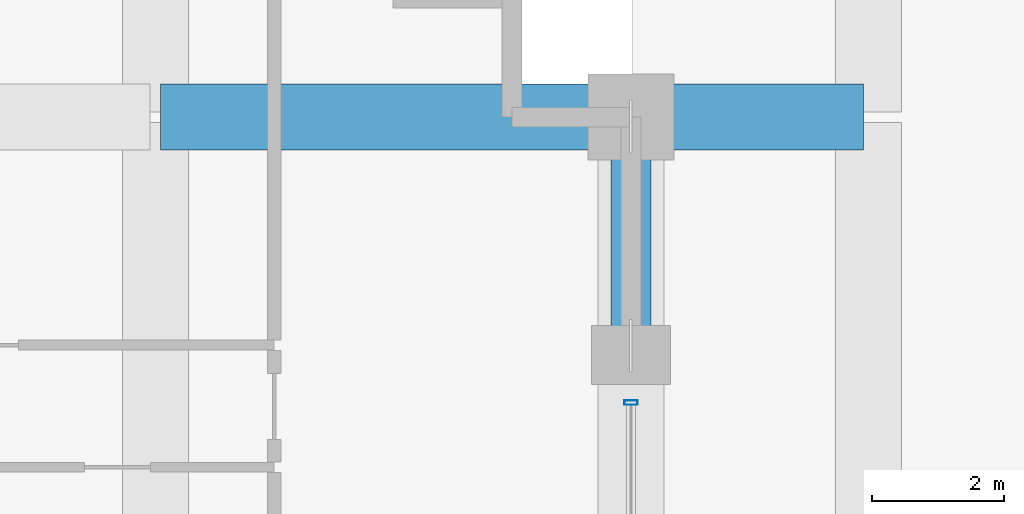
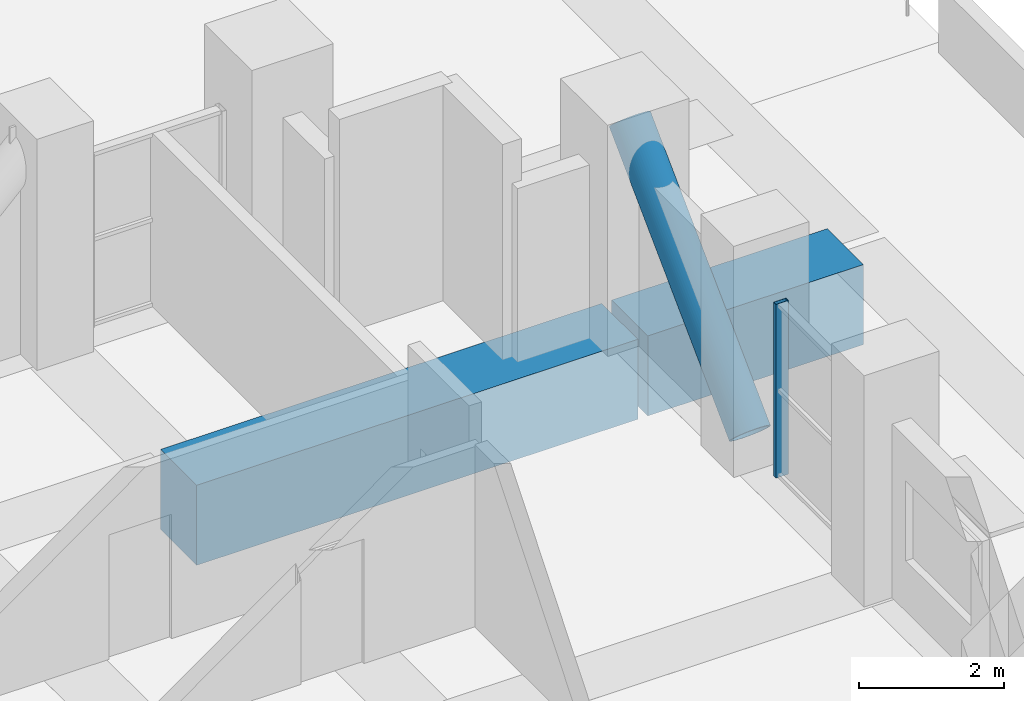
# One storey, part 18 of 39: 2 beams, 2 members, 1 element without a shape of its own.
"""IFC4 building model written with IfcOpenShell, lengths in metres."""

import ifcopenshell
import ifcopenshell.guid

model = None  # the IFC model being written
_history = None  # IfcOwnerHistory: only IFC2X3 demands one
_inside = {}  # id of a spatial element -> (the spatial element, [elements in it])
_under = {}  # id of a project, library or spatial element -> (it, [spatial elements below it])
_declared = {}  # id of a project -> (the project, [libraries it declares])
_typed = {}  # id of a type object -> (the type object, [elements of that type])
_made_of = {}  # id of a material, layer set ... -> (it, [elements and type objects made of it])


def new_model(schema):
    """Start an empty IFC model of exactly this schema.

    Asked for "IFC4X3", IfcOpenShell would pick the latest addendum, in which some entities
    have other attributes; the version numbers below select the first issue.
    IFC2X3 requires an IfcOwnerHistory on every rooted entity: one is made here for all.
    """
    global model, _history
    if schema == "IFC4X3":
        model = ifcopenshell.file(schema_version=(4, 3, 0, 0))
    else:
        model = ifcopenshell.file(schema=schema)
    _inside.clear()
    _under.clear()
    _declared.clear()
    _typed.clear()
    _made_of.clear()
    _history = None
    if model.schema == "IFC2X3":
        org = make("IfcOrganization", Name="unknown")
        user = make(
            "IfcPersonAndOrganization",
            ThePerson=make("IfcPerson", FamilyName="unknown"),
            TheOrganization=org,
        )
        app = make(
            "IfcApplication",
            ApplicationDeveloper=org,
            Version="unknown",
            ApplicationFullName="unknown",
            ApplicationIdentifier="unknown",
        )
        _history = make(
            "IfcOwnerHistory",
            OwningUser=user,
            OwningApplication=app,
            ChangeAction="ADDED",
            CreationDate=0,
        )
    return model


def make(cls, **values):
    """One entity of the class cls with the attributes given. An attribute that is None is left unset."""
    return model.create_entity(
        cls, **{name: value for name, value in values.items() if value is not None}
    )


def rooted(cls, **values):
    """An entity with a GlobalId (a new one), such as an element, a storey or a relation."""
    return make(cls, GlobalId=ifcopenshell.guid.new(), OwnerHistory=_history, **values)


def si_unit(unit_type, name, prefix=None):
    """IfcSIUnit, for example si_unit("LENGTHUNIT", "METRE", prefix="MILLI")."""
    return make("IfcSIUnit", UnitType=unit_type, Prefix=prefix, Name=name)


def assignment(units):
    """IfcUnitAssignment: the units of a project."""
    return None if units is None else make("IfcUnitAssignment", Units=units)


def point(xyz):
    """IfcCartesianPoint."""
    return None if xyz is None else make("IfcCartesianPoint", Coordinates=xyz)


def direction(xyz):
    """IfcDirection."""
    return None if xyz is None else make("IfcDirection", DirectionRatios=xyz)


def frame(location, z_axis=None, x_axis=None):
    """IfcAxis2Placement3D, a coordinate frame: its origin and axes. An axis left out is left unset."""
    return make(
        "IfcAxis2Placement3D",
        Location=point(location),
        Axis=direction(z_axis),
        RefDirection=direction(x_axis),
    )


def frame_2d(location, x_axis=None):
    """IfcAxis2Placement2D, a coordinate frame in the plane: its origin and x axis."""
    return make(
        "IfcAxis2Placement2D", Location=point(location), RefDirection=direction(x_axis)
    )


def origin():
    """The frame at (0, 0, 0) with its axes left unset."""
    return frame((0.0, 0.0, 0.0))


def origin_2d():
    """The frame at (0, 0) in the plane with its x axis left unset."""
    return frame_2d((0.0, 0.0))


def place(relative_to, where):
    """IfcLocalPlacement: puts the frame where relative to a parent placement (None: the world)."""
    return make(
        "IfcLocalPlacement", PlacementRelTo=relative_to, RelativePlacement=where
    )


def context(
    kind, dimensions, precision=None, world=None, true_north=None, identifier=None
):
    """IfcGeometricRepresentationContext, for example the 3D "Model" context."""
    return make(
        "IfcGeometricRepresentationContext",
        ContextIdentifier=identifier,
        ContextType=kind,
        CoordinateSpaceDimension=dimensions,
        Precision=precision,
        WorldCoordinateSystem=world,
        TrueNorth=true_north,
    )


def subcontext(parent, identifier, kind, view, scale=None):
    """IfcGeometricRepresentationSubContext, for example "Body" below "Model"."""
    return make(
        "IfcGeometricRepresentationSubContext",
        ContextIdentifier=identifier,
        ContextType=kind,
        ParentContext=parent,
        TargetScale=scale,
        TargetView=view,
    )


def project(units=None, contexts=None):
    """IfcProject with its units and contexts."""
    return rooted(
        "IfcProject",
        Name="project",
        RepresentationContexts=contexts,
        UnitsInContext=assignment(units),
    )


def spatial(cls, under=None, at=None, **own):
    """A site, building, storey or space (cls), placed at a placement, below another one or the project."""
    s = rooted(cls, ObjectPlacement=at, **own)
    if under is not None:
        _under.setdefault(under.id(), (under, []))[1].append(s)
    return s


def profile(cls, at=None, kind="AREA", **sizes):
    """A parametric profile (cls). Its sizes go by their IFC names, for example OverallWidth=200.0."""
    return make(cls, ProfileType=kind, Position=at, **sizes)


def rectangle(**sizes):
    """IfcRectangleProfileDef."""
    return profile("IfcRectangleProfileDef", **sizes)


def hollow_rectangle(**sizes):
    """IfcRectangleHollowProfileDef."""
    return profile("IfcRectangleHollowProfileDef", **sizes)


def hollow_circle(**sizes):
    """IfcCircleHollowProfileDef."""
    return profile("IfcCircleHollowProfileDef", **sizes)


def extrude(swept, where, along, depth):
    """IfcExtrudedAreaSolid: the profile swept, set in the frame where, extruded along a direction by depth."""
    return make(
        "IfcExtrudedAreaSolid",
        SweptArea=swept,
        Position=where,
        ExtrudedDirection=direction(along),
        Depth=depth,
    )


def shape(context_of_items, identifier, shape_type, items):
    """IfcShapeRepresentation: the items that make up one representation, for example the "Body"."""
    return make(
        "IfcShapeRepresentation",
        ContextOfItems=context_of_items,
        RepresentationIdentifier=identifier,
        RepresentationType=shape_type,
        Items=items,
    )


def material(Name=None, Category=None):
    """IfcMaterial."""
    return make("IfcMaterial", Name=Name, Category=Category)


def layer(
    of_material, thickness, ventilated=None, Name=None, Category=None, Priority=None
):
    """IfcMaterialLayer: one layer of a wall or slab, of a material (None: an air gap)."""
    return make(
        "IfcMaterialLayer",
        Material=of_material,
        LayerThickness=thickness,
        IsVentilated=ventilated,
        Name=Name,
        Category=Category,
        Priority=Priority,
    )


def layer_set(layers, Name=None):
    """IfcMaterialLayerSet."""
    return make("IfcMaterialLayerSet", MaterialLayers=layers, LayerSetName=Name)


def material_profile(
    of_material, cross_section, Name=None, Category=None, Priority=None
):
    """IfcMaterialProfile: a cross section and its material."""
    return make(
        "IfcMaterialProfile",
        Name=Name,
        Material=of_material,
        Profile=cross_section,
        Priority=Priority,
        Category=Category,
    )


def profile_set(profiles, Name=None, composite=None):
    """IfcMaterialProfileSet."""
    return make(
        "IfcMaterialProfileSet",
        Name=Name,
        MaterialProfiles=profiles,
        CompositeProfile=composite,
    )


def made_of(thing, what):
    """Note that an element or type object is made of a material, layer set ...; save() writes the relation."""
    if what is not None:
        _made_of.setdefault(what.id(), (what, []))[1].append(thing)
    return thing


def type_object(cls, material=None, **own):
    """A type object (cls), such as IfcWallType, which elements share."""
    return made_of(rooted(cls, **own), material)


def element(
    cls,
    number,
    at=None,
    inside=None,
    cuts=None,
    type_object=None,
    material=None,
    context=None,
    identifier="Body",
    shape_type=None,
    held_by="IfcProductDefinitionShape",
    body=None,
    shapes=None,
    **own,
):
    """One element of the class cls, such as IfcWall. Its Tag is "e" and its number.

    at: its placement. inside: the storey or other place that contains it. cuts: it is an
    opening in that element (IfcRelVoidsElement). A single representation is given by context,
    identifier, shape_type and body (its items); several are given by shapes. held_by: the class
    of the entity that holds the representations. save() writes the other relations.
    """
    e = rooted(cls, Tag="e%d" % number, ObjectPlacement=at, **own)
    if body is not None:
        shapes = [shape(context, identifier, shape_type, body)]
    if shapes is not None:
        e.Representation = make(held_by, Representations=shapes)
    if inside is not None:
        _inside.setdefault(inside.id(), (inside, []))[1].append(e)
    if cuts is not None:
        rooted(
            "IfcRelVoidsElement", RelatingBuildingElement=cuts, RelatedOpeningElement=e
        )
    if type_object is not None:
        _typed.setdefault(type_object.id(), (type_object, []))[1].append(e)
    return made_of(e, material)


def aggregate(whole, parts):
    """IfcRelAggregates: a whole, such as a stair, and the parts it consists of."""
    return rooted("IfcRelAggregates", RelatingObject=whole, RelatedObjects=parts)


def save(model, path):
    """Write the relations noted so far, then the file.

    IfcRelAggregates (storeys below a building ...), IfcRelContainedInSpatialStructure (elements
    in a storey), IfcRelDefinesByType, IfcRelAssociatesMaterial and IfcRelDeclares: one each for
    every whole, place, type object, material and project.
    """
    for whole, parts in _under.values():
        aggregate(whole, parts)
    for where, things in _inside.values():
        rooted(
            "IfcRelContainedInSpatialStructure",
            RelatedElements=things,
            RelatingStructure=where,
        )
    for kind, things in _typed.values():
        rooted("IfcRelDefinesByType", RelatedObjects=things, RelatingType=kind)
    for what, things in _made_of.values():
        rooted("IfcRelAssociatesMaterial", RelatedObjects=things, RelatingMaterial=what)
    for by, libraries in _declared.values():
        rooted("IfcRelDeclares", RelatingContext=by, RelatedDefinitions=libraries)
    model.write(path)


model = new_model("IFC4")

# Units and contexts
model_context = context("Model", 3, precision=1e-05, world=origin(), true_north=direction((0.0, 1.0)))
body_context = subcontext(model_context, "Body", "Model", "MODEL_VIEW")
ifc_project = project(units=[si_unit("LENGTHUNIT", "METRE"), si_unit("AREAUNIT", "SQUARE_METRE"), si_unit("VOLUMEUNIT", "CUBIC_METRE"), si_unit("PLANEANGLEUNIT", "RADIAN"), si_unit("MASSUNIT", "GRAM", prefix="KILO")], contexts=[model_context])

# Site, building, storey
site_placement = place(None, origin())
site = spatial("IfcSite", under=ifc_project, at=site_placement, CompositionType="ELEMENT")
building_placement = place(site_placement, origin())
building = spatial("IfcBuilding", under=site, at=building_placement, Name="Solnavia Interchange Tower", CompositionType="ELEMENT")
storey_placement = place(building_placement, frame((0.0, 0.0, 24.0)))
storey = spatial("IfcBuildingStorey", under=building, at=storey_placement, Name="L05", CompositionType="ELEMENT", Elevation=24.0)

# Beams
ifc_material_1 = material(Name="Concrete C60/75", Category="concrete")
ifc_material_profile_1 = material_profile(ifc_material_1, rectangle(XDim=1.0, YDim=1.35009765625, at=origin_2d()), Name="RC 1000x1350")
ifc_profile_set_1 = profile_set([ifc_material_profile_1], Name="Concrete C60/75")
beam_type = type_object("IfcBeamType", Name="Beam-Transfer-RC1000x1350", PredefinedType="BEAM", material=ifc_profile_set_1)
beam_1_placement = place(storey_placement, frame((54.080078125, 21.60009765625, -0.675048828125), z_axis=(1.0, 0.0, 0.0), x_axis=(0.0, 1.0, 0.0)))
element("IfcBeam", 1, at=beam_1_placement, inside=storey, type_object=beam_type, Name="TRB-L05-17 East-mid primary transfer girder", PredefinedType="BEAM", context=body_context, shape_type="SweptSolid", body=[
    extrude(rectangle(XDim=1.0, YDim=1.35009765625, at=origin_2d()), origin(), (0.0, 0.0, 1.0), 7.0400390625),
])
beam_2_placement = place(storey_placement, frame((61.280029296875, 21.60009765625, -0.675048828125), z_axis=(1.0, 0.0, 0.0), x_axis=(0.0, 1.0, 0.0)))
element("IfcBeam", 2, at=beam_2_placement, inside=storey, type_object=beam_type, Name="TRB-L05-18 East-mid primary transfer girder", PredefinedType="BEAM", context=body_context, shape_type="SweptSolid", body=[
    extrude(rectangle(XDim=1.0, YDim=1.35009765625, at=origin_2d()), origin(), (0.0, 0.0, 1.0), 3.43994140625),
])

# Member
ifc_material_2 = material(Name="Steel S460", Category="steel")
ifc_material_profile_2 = material_profile(ifc_material_2, hollow_circle(Radius=0.304931640625, WallThickness=0.02490234375, at=origin_2d()), Name="CHS 610x25")
ifc_profile_set_2 = profile_set([ifc_material_profile_2], Name="Steel S460")
member_type_1 = type_object("IfcMemberType", Name="Brace-Perim-CHS610", PredefinedType="BRACE", material=ifc_profile_set_2)
member_1_placement = place(storey_placement, frame((61.199951171875, 18.139892578125, 0.179931640625), z_axis=(0.0, 0.710311792477, 0.703887176661), x_axis=(-1.0, 0.0, 0.0)))
element("IfcMember", 3, at=member_1_placement, inside=storey, type_object=member_type_1, Name="BRC-L05-02 Perimeter tube diagonal brace", PredefinedType="BRACE", context=body_context, shape_type="SweptSolid", body=[
    extrude(hollow_circle(Radius=0.304931640625, WallThickness=0.02490234375, at=origin_2d()), origin(), (0.0, 0.0, 1.0), 4.674072265625),
])

# Curtain wall, member
ifc_material_3 = material(Name="Aluminium Alloy 6063-T6", Category="aluminium")
ifc_layer = layer(ifc_material_3, 0.219970703125)
ifc_layer_set = layer_set([ifc_layer], Name="Aluminium Alloy 6063-T6")
curtain_wall_type = type_object("IfcCurtainWallType", Name="CurtainWall-Tower-CTW3", PredefinedType="NOTDEFINED", material=ifc_layer_set)
curtain_wall_placement = place(storey_placement, origin())
curtain_wall = element("IfcCurtainWall", 4, at=curtain_wall_placement, inside=storey, type_object=curtain_wall_type, Name="CTW-L05-S18 CTW-3 curtain wall", PredefinedType="NOTDEFINED")
ifc_material_profile_3 = material_profile(ifc_material_3, hollow_rectangle(XDim=0.070068359375, YDim=0.199951171875, WallThickness=0.0048828125, at=origin_2d()), Name="ALU 200x70x5")
ifc_profile_set_3 = profile_set([ifc_material_profile_3], Name="Aluminium Alloy 6063-T6")
member_type_2 = type_object("IfcMemberType", Name="CW-Mullion-CWM-3", PredefinedType="MULLION", material=ifc_profile_set_3)
member_2_placement = place(storey_placement, frame((61.199951171875, 17.280029296875, 0.0), z_axis=(0.0, 0.0, 1.0), x_axis=(0.0, 1.0, 0.0)))
member_2 = element("IfcMember", 5, at=member_2_placement, type_object=member_type_2, Name="CTW-3 mullion 2", PredefinedType="MULLION", context=body_context, shape_type="SweptSolid", body=[
    extrude(hollow_rectangle(XDim=0.070068359375, YDim=0.199951171875, WallThickness=0.0048828125, at=origin_2d()), origin(), (0.0, 0.0, 1.0), 2.929931640625),
])
aggregate(curtain_wall, [member_2])

save(model, "model.ifc")
